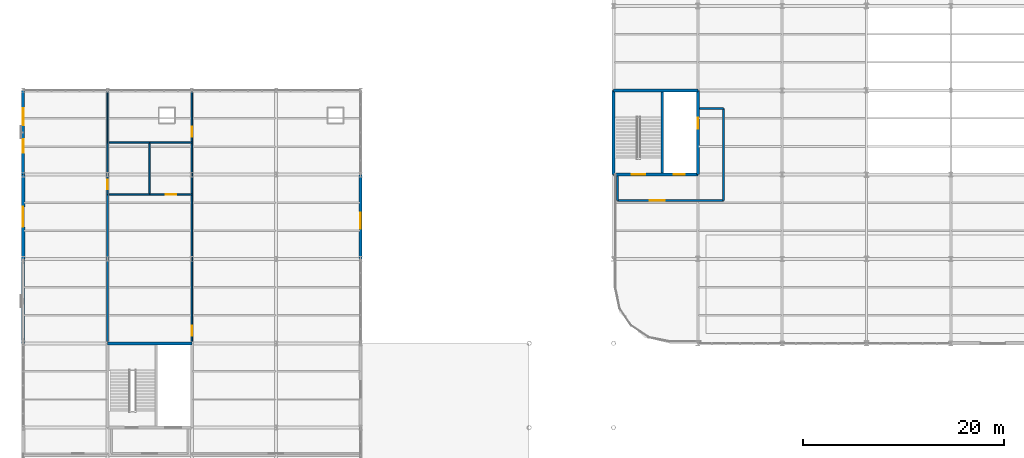
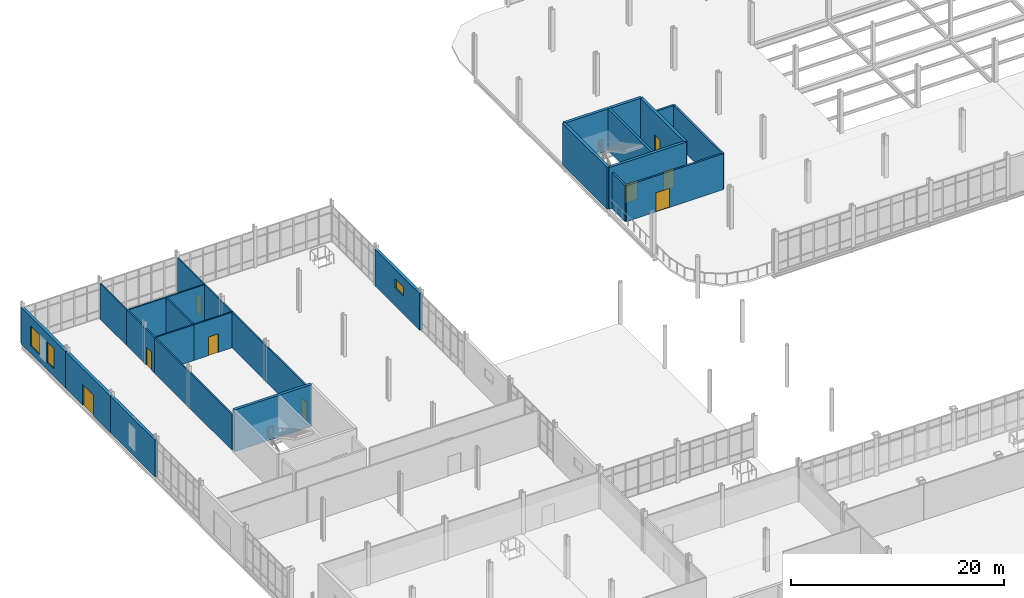
# One storey, part 127 of 145: 25 walls, 9 doors, 3 windows, 12 openings.
"""IFC4 building model written with IfcOpenShell, lengths in metres."""

from ifc_helpers import new_model, si_unit, direction, frame, frame_2d, origin, place, context, subcontext, project, spatial, rectangle, extrude, material, layer, layer_set, type_object, element, fill, save


model = new_model("IFC4")

# Units and contexts
model_context = context("Model", 3, precision=1e-05, world=origin(), true_north=direction((0.0, 1.0)))
body_context = subcontext(model_context, "Body", "Model", "MODEL_VIEW")
ifc_project = project(units=[si_unit("LENGTHUNIT", "METRE"), si_unit("AREAUNIT", "SQUARE_METRE"), si_unit("VOLUMEUNIT", "CUBIC_METRE"), si_unit("PLANEANGLEUNIT", "RADIAN"), si_unit("MASSUNIT", "GRAM", prefix="KILO")], contexts=[model_context])

# Site, building, storey
site_placement = place(None, origin())
site = spatial("IfcSite", under=ifc_project, at=site_placement, CompositionType="ELEMENT")
building_placement = place(site_placement, origin())
building = spatial("IfcBuilding", under=site, at=building_placement, Name="Qalvenar Corner Mobility Hub", CompositionType="ELEMENT")
storey_placement = place(building_placement, origin())
storey = spatial("IfcBuildingStorey", under=building, at=storey_placement, Name="L00", CompositionType="ELEMENT", Elevation=0.0)

# Wall
ifc_material_1 = material(Name="Concrete C40/50", Category="concrete")
ifc_layer_1 = layer(ifc_material_1, 0.25)
ifc_layer_set_1 = layer_set([ifc_layer_1], Name="Concrete C40/50")
wall_type_1 = type_object("IfcWallType", Name="WL-CORE250", PredefinedType="SHEAR", material=ifc_layer_set_1)
wall_1_placement = place(storey_placement, frame((63.64990234375, 84.14990234375, 0.0), z_axis=(0.0, 0.0, 1.0), x_axis=(0.0, 1.0, 0.0)))
element("IfcWall", 1, at=wall_1_placement, inside=storey, type_object=wall_type_1, Name="Core Divider Wall C3-L00", PredefinedType="SHEAR", context=body_context, shape_type="SweptSolid", body=[
    extrude(rectangle(XDim=8.10009765625, YDim=0.25, at=frame_2d((4.050048828125, 0.0))), origin(), (0.0, 0.0, 1.0), 4.800048828125),
])

# Wall, openings, doors
ifc_layer_2 = layer(ifc_material_1, 0.300048828125)
ifc_layer_set_2 = layer_set([ifc_layer_2], Name="Concrete C40/50")
wall_type_2 = type_object("IfcWallType", Name="WL-CORE300", PredefinedType="SHEAR", material=ifc_layer_set_2)
wall_2_placement = place(storey_placement, frame((58.800048828125, 84.0, 0.0), z_axis=(0.0, 0.0, 1.0), x_axis=(1.0, 0.0, 0.0)))
wall_2 = element("IfcWall", 2, at=wall_2_placement, inside=storey, type_object=wall_type_2, Name="Core Shear Wall C3-L00-S", PredefinedType="SHEAR", context=body_context, shape_type="SweptSolid", body=[
    extrude(rectangle(XDim=8.39990234375, YDim=0.300048828125, at=frame_2d((4.199951171875, 0.0))), origin(), (0.0, 0.0, 1.0), 4.800048828125),
])
opening_1_placement = place(wall_2_placement, frame((1.800048828125, 0.0, 0.0)))
opening_1 = element("IfcOpeningElement", 3, at=opening_1_placement, cuts=wall_2, Name="Opening DR-074", PredefinedType="OPENING", context=body_context, shape_type="SweptSolid", body=[
    extrude(rectangle(XDim=1.35009765625, YDim=2.199951171875, at=frame_2d((0.675048828125, 1.10009765625))), frame((0.0, 0.16015625, 0.0), z_axis=(0.0, -1.0, 0.0), x_axis=(1.0, 0.0, 0.0)), (0.0, 0.0, 1.0), 0.320068359375),
])
opening_2_placement = place(wall_2_placement, frame((6.0, 0.0, 0.0)))
opening_2 = element("IfcOpeningElement", 4, at=opening_2_placement, cuts=wall_2, Name="Opening DR-075", PredefinedType="OPENING", context=body_context, shape_type="SweptSolid", body=[
    extrude(rectangle(XDim=1.10009765625, YDim=2.199951171875, at=frame_2d((0.550048828125, 1.10009765625))), frame((0.0, 0.16015625, 0.0), z_axis=(0.0, -1.0, 0.0), x_axis=(1.0, 0.0, 0.0)), (0.0, 0.0, 1.0), 0.320068359375),
])
ifc_material_2 = material(Name="Stainless Steel Lift Landing Door", Category="steel")
door_type_1 = type_object("IfcDoorType", Name="DR-LIFT-110", OperationType="SLIDING_TO_LEFT", PredefinedType="DOOR", material=ifc_material_2)
door_1_placement = place(opening_2_placement, origin())
door_1 = element("IfcDoor", 5, at=door_1_placement, inside=storey, type_object=door_type_1, Name="DR-075 Lift Landing Door LP2-L00", OperationType="SLIDING_TO_LEFT", OverallHeight=2.199951171875, OverallWidth=1.10009765625, PredefinedType="DOOR", context=body_context, shape_type="SweptSolid", body=[
    extrude(rectangle(XDim=1.10009765625, YDim=2.199951171875, at=frame_2d((0.550048828125, 1.10009765625))), frame((0.0, 0.02490234375, 0.0), z_axis=(0.0, -1.0, 0.0), x_axis=(1.0, 0.0, 0.0)), (0.0, 0.0, 1.0), 0.050048828125),
])
fill(opening_2, door_1)
ifc_material_3 = material(Name="Fire-Rated Steel Stair Door FD90", Category="steel")
door_type_2 = type_object("IfcDoorType", Name="DR-STAIR-135", OperationType="NOTDEFINED", PredefinedType="DOOR", material=ifc_material_3)
door_2_placement = place(opening_1_placement, origin())
door_2 = element("IfcDoor", 6, at=door_2_placement, inside=storey, type_object=door_type_2, Name="DR-074 Stair Fire Door ST3-L00", OperationType="SINGLE_SWING_RIGHT", OverallHeight=2.199951171875, OverallWidth=1.35009765625, PredefinedType="DOOR", context=body_context, shape_type="SweptSolid", body=[
    extrude(rectangle(XDim=1.35009765625, YDim=2.199951171875, at=frame_2d((0.675048828125, 1.10009765625))), frame((0.0, 0.02490234375, 0.0), z_axis=(0.0, -1.0, 0.0), x_axis=(1.0, 0.0, 0.0)), (0.0, 0.0, 1.0), 0.050048828125),
])
fill(opening_1, door_2)

# Wall, opening, door
wall_3_placement = place(storey_placement, frame((67.199951171875, 84.0, 0.0), z_axis=(0.0, 0.0, 1.0), x_axis=(0.0, 1.0, 0.0)))
wall_3 = element("IfcWall", 7, at=wall_3_placement, inside=storey, type_object=wall_type_2, Name="Core Shear Wall C3-L00-E", PredefinedType="SHEAR", context=body_context, shape_type="SweptSolid", body=[
    extrude(rectangle(XDim=8.39990234375, YDim=0.300048828125, at=frame_2d((4.199951171875, 0.0))), origin(), (0.0, 0.0, 1.0), 4.800048828125),
])
opening_3_placement = place(wall_3_placement, frame((4.550048828125, 0.0, 0.0)))
opening_3 = element("IfcOpeningElement", 8, at=opening_3_placement, cuts=wall_3, Name="Opening DR-076", PredefinedType="OPENING", context=body_context, shape_type="SweptSolid", body=[
    extrude(rectangle(XDim=1.10009765625, YDim=2.199951171875, at=frame_2d((0.550048828125, 1.10009765625))), frame((0.0, 0.16015625, 0.0), z_axis=(0.0, -1.0, 0.0), x_axis=(1.0, 0.0, 0.0)), (0.0, 0.0, 1.0), 0.320068359375),
])
door_3_placement = place(opening_3_placement, origin())
door_3 = element("IfcDoor", 9, at=door_3_placement, inside=storey, type_object=door_type_1, Name="DR-076 Lift Landing Door LP3-L00", OperationType="SLIDING_TO_RIGHT", OverallHeight=2.199951171875, OverallWidth=1.10009765625, PredefinedType="DOOR", context=body_context, shape_type="SweptSolid", body=[
    extrude(rectangle(XDim=1.10009765625, YDim=2.199951171875, at=frame_2d((0.550048828125, 1.10009765625))), frame((0.0, 0.02490234375, 0.0), z_axis=(0.0, -1.0, 0.0), x_axis=(1.0, 0.0, 0.0)), (0.0, 0.0, 1.0), 0.050048828125),
])
fill(opening_3, door_3)

# Walls
for number, where, z_axis, x_axis, name in (
    (10, (67.199951171875, 92.39990234375, 0.0), (0.0, 0.0, 1.0), (-1.0, 0.0, 0.0), "Core Shear Wall C3-L00-N"),
    (11, (58.800048828125, 92.39990234375, 0.0), (0.0, 0.0, 1.0), (0.0, -1.0, 0.0), "Core Shear Wall C3-L00-W"),
):
    element("IfcWall", number, at=place(storey_placement, frame(where, z_axis=z_axis, x_axis=x_axis)), inside=storey, type_object=wall_type_2, Name=name, PredefinedType="SHEAR", context=body_context, shape_type="SweptSolid", body=[
        extrude(rectangle(XDim=8.39990234375, YDim=0.300048828125, at=frame_2d((4.199951171875, 0.0))), origin(), (0.0, 0.0, 1.0), 4.800048828125),
    ])
wall_4_placement = place(storey_placement, frame((16.800048828125, 67.199951171875, 0.0), z_axis=(0.0, 0.0, 1.0), x_axis=(-1.0, 0.0, 0.0)))
element("IfcWall", 12, at=wall_4_placement, inside=storey, type_object=wall_type_2, Name="Core Shear Wall C5-L00-N", PredefinedType="SHEAR", context=body_context, shape_type="SweptSolid", body=[
    extrude(rectangle(XDim=8.400146484375, YDim=0.300048828125, at=frame_2d((4.2001953125, 0.0))), origin(), (0.0, 0.0, 1.0), 4.800048828125),
])
ifc_material_4 = material(Name="Lahori Fired Clay Brick Masonry", Category="masonry")
ifc_layer_3 = layer(ifc_material_4, 0.300048828125)
ifc_layer_set_3 = layer_set([ifc_layer_3], Name="Lahori Fired Clay Brick Masonry")
wall_type_3 = type_object("IfcWallType", Name="WL-EXT-BRK300", PredefinedType="STANDARD", material=ifc_layer_set_3)
wall_5_placement = place(storey_placement, frame((0.0, 75.60009765625, 0.0), z_axis=(0.0, 0.0, 1.0), x_axis=(0.0, -1.0, 0.0)))
element("IfcWall", 13, at=wall_5_placement, inside=storey, type_object=wall_type_3, Name="Exterior Facade Wall EW-V5-L00-W3", PredefinedType="STANDARD", context=body_context, shape_type="SweptSolid", body=[
    extrude(rectangle(XDim=8.400146484375, YDim=0.300048828125, at=frame_2d((4.2001953125, 0.0))), origin(), (0.0, 0.0, 1.0), 4.219970703125),
])

# Wall, openings, windows
wall_6_placement = place(storey_placement, frame((0.0, 92.39990234375, 0.0), z_axis=(0.0, 0.0, 1.0), x_axis=(0.0, -1.0, 0.0)))
wall_6 = element("IfcWall", 14, at=wall_6_placement, inside=storey, type_object=wall_type_3, Name="Exterior Facade Wall EW-V5-L00-W5", PredefinedType="STANDARD", context=body_context, shape_type="SweptSolid", body=[
    extrude(rectangle(XDim=8.39990234375, YDim=0.300048828125, at=frame_2d((4.199951171875, 0.0))), origin(), (0.0, 0.0, 1.0), 4.219970703125),
])
opening_4_placement = place(wall_6_placement, frame((1.800048828125, 0.0, 0.89990234375)))
opening_4 = element("IfcOpeningElement", 15, at=opening_4_placement, cuts=wall_6, Name="Opening W-13", PredefinedType="OPENING", context=body_context, shape_type="SweptSolid", body=[
    extrude(rectangle(XDim=1.699951171875, YDim=2.300048828125, at=frame_2d((0.85009765625, 1.14990234375))), frame((0.0, 0.16015625, 0.0), z_axis=(0.0, -1.0, 0.0), x_axis=(1.0, 0.0, 0.0)), (0.0, 0.0, 1.0), 0.320068359375),
])
opening_5_placement = place(wall_6_placement, frame((4.89990234375, 0.0, 0.89990234375)))
opening_5 = element("IfcOpeningElement", 16, at=opening_5_placement, cuts=wall_6, Name="Opening W-14", PredefinedType="OPENING", context=body_context, shape_type="SweptSolid", body=[
    extrude(rectangle(XDim=1.300048828125, YDim=2.300048828125, at=frame_2d((0.64990234375, 1.14990234375))), frame((0.0, 0.16015625, 0.0), z_axis=(0.0, -1.0, 0.0), x_axis=(1.0, 0.0, 0.0)), (0.0, 0.0, 1.0), 0.320068359375),
])
ifc_material_5 = material(Name="Solar-Control Double-Glazed Bronze Window", Category="glass")
window_type_1 = type_object("IfcWindowType", Name="WN-CYC-130X230", PartitioningType="SINGLE_PANEL", PredefinedType="WINDOW", material=ifc_material_5)
window_1_placement = place(opening_5_placement, origin())
window_1 = element("IfcWindow", 17, at=window_1_placement, inside=storey, type_object=window_type_1, Name="Facade Window EW-V5-L00-W5-W2", OverallHeight=2.300048828125, OverallWidth=1.300048828125, PartitioningType="SINGLE_PANEL", PredefinedType="WINDOW", context=body_context, shape_type="SweptSolid", body=[
    extrude(rectangle(XDim=1.300048828125, YDim=2.300048828125, at=frame_2d((0.64990234375, 1.14990234375))), frame((0.0, 0.030029296875, 0.0), z_axis=(0.0, -1.0, 0.0), x_axis=(1.0, 0.0, 0.0)), (0.0, 0.0, 1.0), 0.06005859375),
])
fill(opening_5, window_1)
window_type_2 = type_object("IfcWindowType", Name="WN-CYC-170X230", PartitioningType="DOUBLE_PANEL_VERTICAL", PredefinedType="WINDOW", material=ifc_material_5)
window_2_placement = place(opening_4_placement, origin())
window_2 = element("IfcWindow", 18, at=window_2_placement, inside=storey, type_object=window_type_2, Name="Facade Window EW-V5-L00-W5-W1", OverallHeight=2.300048828125, OverallWidth=1.699951171875, PartitioningType="SINGLE_PANEL", PredefinedType="WINDOW", context=body_context, shape_type="SweptSolid", body=[
    extrude(rectangle(XDim=1.699951171875, YDim=2.300048828125, at=frame_2d((0.85009765625, 1.14990234375))), frame((0.0, 0.030029296875, 0.0), z_axis=(0.0, -1.0, 0.0), x_axis=(1.0, 0.0, 0.0)), (0.0, 0.0, 1.0), 0.06005859375),
])
fill(opening_4, window_2)

# Wall, opening, window
wall_7_placement = place(storey_placement, frame((33.60009765625, 75.60009765625, 0.0), z_axis=(0.0, 0.0, 1.0), x_axis=(0.0, 1.0, 0.0)))
wall_7 = element("IfcWall", 19, at=wall_7_placement, inside=storey, type_object=wall_type_3, Name="Exterior Facade Wall EW-V5-L00-E4", PredefinedType="STANDARD", context=body_context, shape_type="SweptSolid", body=[
    extrude(rectangle(XDim=8.39990234375, YDim=0.300048828125, at=frame_2d((4.199951171875, 0.0))), origin(), (0.0, 0.0, 1.0), 4.219970703125),
])
opening_6_placement = place(wall_7_placement, frame((3.0, 0.0, 2.10009765625)))
opening_6 = element("IfcOpeningElement", 20, at=opening_6_placement, cuts=wall_7, Name="Opening W-22", PredefinedType="OPENING", context=body_context, shape_type="SweptSolid", body=[
    extrude(rectangle(XDim=1.60009765625, YDim=1.0, at=frame_2d((0.800048828125, 0.5))), frame((0.0, 0.16015625, 0.0), z_axis=(0.0, -1.0, 0.0), x_axis=(1.0, 0.0, 0.0)), (0.0, 0.0, 1.0), 0.320068359375),
])
window_type_3 = type_object("IfcWindowType", Name="WN-CLR-160X100", PartitioningType="DOUBLE_PANEL_HORIZONTAL", PredefinedType="WINDOW", material=ifc_material_5)
window_3_placement = place(opening_6_placement, origin())
window_3 = element("IfcWindow", 21, at=window_3_placement, inside=storey, type_object=window_type_3, Name="Facade Window EW-V5-L00-E4-W1", OverallHeight=1.0, OverallWidth=1.60009765625, PartitioningType="SINGLE_PANEL", PredefinedType="WINDOW", context=body_context, shape_type="SweptSolid", body=[
    extrude(rectangle(XDim=1.60009765625, YDim=1.0, at=frame_2d((0.800048828125, 0.5))), frame((0.0, 0.030029296875, 0.0), z_axis=(0.0, -1.0, 0.0), x_axis=(1.0, 0.0, 0.0)), (0.0, 0.0, 1.0), 0.06005859375),
])
fill(opening_6, window_3)

# Wall, opening, door
ifc_material_6 = material(Name="Red Sandstone Ashlar Masonry", Category="masonry")
ifc_layer_4 = layer(ifc_material_6, 0.320068359375)
ifc_layer_set_4 = layer_set([ifc_layer_4], Name="Red Sandstone Ashlar Masonry")
wall_type_4 = type_object("IfcWallType", Name="WL-EXT-SAND320", PredefinedType="STANDARD", material=ifc_layer_set_4)
wall_8_placement = place(storey_placement, frame((0.0, 84.0, 0.0), z_axis=(0.0, 0.0, 1.0), x_axis=(0.0, -1.0, 0.0)))
wall_8 = element("IfcWall", 22, at=wall_8_placement, inside=storey, type_object=wall_type_4, Name="Exterior Facade Wall EW-V5-L00-W4", PredefinedType="STANDARD", context=body_context, shape_type="SweptSolid", body=[
    extrude(rectangle(XDim=8.39990234375, YDim=0.320068359375, at=frame_2d((4.199951171875, 0.0))), origin(), (0.0, 0.0, 1.0), 4.219970703125),
])
opening_7_placement = place(wall_8_placement, frame((3.199951171875, 0.0, 0.0)))
opening_7 = element("IfcOpeningElement", 23, at=opening_7_placement, cuts=wall_8, Name="Opening DR-060", PredefinedType="OPENING", context=body_context, shape_type="SweptSolid", body=[
    extrude(rectangle(XDim=2.0, YDim=2.39990234375, at=frame_2d((1.0, 1.199951171875))), frame((0.0, 0.169921875, 0.0), z_axis=(0.0, -1.0, 0.0), x_axis=(1.0, 0.0, 0.0)), (0.0, 0.0, 1.0), 0.340087890625),
])
ifc_material_7 = material(Name="Bronze-Framed Glazed Exit Door", Category="aluminium")
door_type_3 = type_object("IfcDoorType", Name="DR-EXT-DBL200", OperationType="DOUBLE_DOOR_SINGLE_SWING", PredefinedType="DOOR", material=ifc_material_7)
door_4_placement = place(opening_7_placement, origin())
door_4 = element("IfcDoor", 24, at=door_4_placement, inside=storey, type_object=door_type_3, Name="DR-060 Bicycle Hall Pedestrian Exit Door E10", OperationType="DOUBLE_DOOR_SINGLE_SWING", OverallHeight=2.39990234375, OverallWidth=2.0, PredefinedType="DOOR", context=body_context, shape_type="SweptSolid", body=[
    extrude(rectangle(XDim=2.0, YDim=2.39990234375, at=frame_2d((1.0, 1.199951171875))), frame((0.0, 0.02490234375, 0.0), z_axis=(0.0, -1.0, 0.0), x_axis=(1.0, 0.0, 0.0)), (0.0, 0.0, 1.0), 0.050048828125),
])
fill(opening_7, door_4)

# Wall
ifc_material_8 = material(Name="Acoustic Gypsum Stud Partition", Category="masonry")
ifc_layer_5 = layer(ifc_material_8, 0.139892578125)
ifc_layer_set_5 = layer_set([ifc_layer_5], Name="Acoustic Gypsum Stud Partition")
wall_type_5 = type_object("IfcWallType", Name="WL-INT140", PredefinedType="PARTITIONING", material=ifc_layer_set_5)
wall_9_placement = place(storey_placement, frame((8.39990234375, 87.199951171875, 0.0), z_axis=(0.0, 0.0, 1.0), x_axis=(0.0, 1.0, 0.0)))
element("IfcWall", 25, at=wall_9_placement, inside=storey, type_object=wall_type_5, Name="Interior Partition PRT-L00-037", PredefinedType="PARTITIONING", context=body_context, shape_type="SweptSolid", body=[
    extrude(rectangle(XDim=5.050048828125, YDim=0.139892578125, at=frame_2d((2.52490234375, 0.0))), origin(), (0.0, 0.0, 1.0), 4.10009765625),
])

# Wall, opening, door
wall_10_placement = place(storey_placement, frame((16.800048828125, 87.199951171875, 0.0), z_axis=(0.0, 0.0, 1.0), x_axis=(0.0, 1.0, 0.0)))
wall_10 = element("IfcWall", 26, at=wall_10_placement, inside=storey, type_object=wall_type_5, Name="Interior Partition PRT-L00-041", PredefinedType="PARTITIONING", context=body_context, shape_type="SweptSolid", body=[
    extrude(rectangle(XDim=5.050048828125, YDim=0.139892578125, at=frame_2d((2.52490234375, 0.0))), origin(), (0.0, 0.0, 1.0), 4.10009765625),
])
opening_8_placement = place(wall_10_placement, frame((0.550048828125, 0.0, 0.0)))
opening_8 = element("IfcOpeningElement", 27, at=opening_8_placement, cuts=wall_10, Name="Opening DR-106", PredefinedType="OPENING", context=body_context, shape_type="SweptSolid", body=[
    extrude(rectangle(XDim=1.0, YDim=2.14990234375, at=frame_2d((0.5, 1.074951171875))), frame((0.0, 0.080078125, 0.0), z_axis=(0.0, -1.0, 0.0), x_axis=(1.0, 0.0, 0.0)), (0.0, 0.0, 1.0), 0.159912109375),
])
ifc_material_9 = material(Name="Hardwood Teak Office Door FD30", Category="wood")
door_type_4 = type_object("IfcDoorType", Name="DR-INT-OFF100", OperationType="NOTDEFINED", PredefinedType="DOOR", material=ifc_material_9)
door_5_placement = place(opening_8_placement, origin())
door_5 = element("IfcDoor", 28, at=door_5_placement, inside=storey, type_object=door_type_4, Name="DR-106 Cyclist Drying and Towel Room Door", OperationType="SINGLE_SWING_RIGHT", OverallHeight=2.14990234375, OverallWidth=1.0, PredefinedType="DOOR", context=body_context, shape_type="SweptSolid", body=[
    extrude(rectangle(XDim=1.0, YDim=2.14990234375, at=frame_2d((0.5, 1.074951171875))), frame((0.0, 0.02490234375, 0.0), z_axis=(0.0, -1.0, 0.0), x_axis=(1.0, 0.0, 0.0)), (0.0, 0.0, 1.0), 0.050048828125),
])
fill(opening_8, door_5)

# Wall
ifc_material_10 = material(Name="Plastered Clay Brick Partition", Category="masonry")
ifc_layer_6 = layer(ifc_material_10, 0.159912109375)
ifc_layer_set_6 = layer_set([ifc_layer_6], Name="Plastered Clay Brick Partition")
wall_type_6 = type_object("IfcWallType", Name="WL-INT160", PredefinedType="PARTITIONING", material=ifc_layer_set_6)
wall_11_placement = place(storey_placement, frame((8.39990234375, 67.39990234375, 0.0), z_axis=(0.0, 0.0, 1.0), x_axis=(0.0, 1.0, 0.0)))
element("IfcWall", 29, at=wall_11_placement, inside=storey, type_object=wall_type_6, Name="Interior Partition PRT-L00-035", PredefinedType="PARTITIONING", context=body_context, shape_type="SweptSolid", body=[
    extrude(rectangle(XDim=14.60009765625, YDim=0.159912109375, at=frame_2d((7.300048828125, 0.0))), origin(), (0.0, 0.0, 1.0), 4.10009765625),
])

# Wall, opening, door
wall_12_placement = place(storey_placement, frame((16.800048828125, 67.39990234375, 0.0), z_axis=(0.0, 0.0, 1.0), x_axis=(0.0, 1.0, 0.0)))
wall_12 = element("IfcWall", 30, at=wall_12_placement, inside=storey, type_object=wall_type_6, Name="Interior Partition PRT-L00-039", PredefinedType="PARTITIONING", context=body_context, shape_type="SweptSolid", body=[
    extrude(rectangle(XDim=14.60009765625, YDim=0.159912109375, at=frame_2d((7.300048828125, 0.0))), origin(), (0.0, 0.0, 1.0), 4.10009765625),
])
opening_9_placement = place(wall_12_placement, frame((0.550048828125, 0.0, 0.0)))
opening_9 = element("IfcOpeningElement", 31, at=opening_9_placement, cuts=wall_12, Name="Opening DR-105", PredefinedType="OPENING", context=body_context, shape_type="SweptSolid", body=[
    extrude(rectangle(XDim=1.0, YDim=2.14990234375, at=frame_2d((0.5, 1.074951171875))), frame((0.0, 0.08984375, 0.0), z_axis=(0.0, -1.0, 0.0), x_axis=(1.0, 0.0, 0.0)), (0.0, 0.0, 1.0), 0.179931640625),
])
door_6_placement = place(opening_9_placement, origin())
door_6 = element("IfcDoor", 32, at=door_6_placement, inside=storey, type_object=door_type_4, Name="DR-105 Cyclist Locker and Kit Room Door", OperationType="SINGLE_SWING_LEFT", OverallHeight=2.14990234375, OverallWidth=1.0, PredefinedType="DOOR", context=body_context, shape_type="SweptSolid", body=[
    extrude(rectangle(XDim=1.0, YDim=2.14990234375, at=frame_2d((0.5, 1.074951171875))), frame((0.0, 0.02490234375, 0.0), z_axis=(0.0, -1.0, 0.0), x_axis=(1.0, 0.0, 0.0)), (0.0, 0.0, 1.0), 0.050048828125),
])
fill(opening_9, door_6)

# Wall
ifc_material_11 = material(Name="Concrete Blockwork Masonry", Category="masonry")
ifc_layer_7 = layer(ifc_material_11, 0.199951171875)
ifc_layer_set_7 = layer_set([ifc_layer_7], Name="Concrete Blockwork Masonry")
wall_type_7 = type_object("IfcWallType", Name="WL-LOBBY200", PredefinedType="PARTITIONING", material=ifc_layer_set_7)
wall_13_placement = place(storey_placement, frame((59.199951171875, 81.39990234375, 0.0), z_axis=(0.0, 0.0, 1.0), x_axis=(0.0, 1.0, 0.0)))
element("IfcWall", 33, at=wall_13_placement, inside=storey, type_object=wall_type_7, Name="Interior Partition WL-LOB-C3-L00-W", PredefinedType="PARTITIONING", context=body_context, shape_type="SweptSolid", body=[
    extrude(rectangle(XDim=2.4501953125, YDim=0.199951171875, at=frame_2d((1.22509765625, 0.0))), origin(), (0.0, 0.0, 1.0), 4.1201171875),
])

# Wall, opening, door
wall_14_placement = place(storey_placement, frame((59.199951171875, 81.39990234375, 0.0), z_axis=(0.0, 0.0, 1.0), x_axis=(1.0, 0.0, 0.0)))
wall_14 = element("IfcWall", 34, at=wall_14_placement, inside=storey, type_object=wall_type_7, Name="Interior Partition WL-LOB-C3-L00-S", PredefinedType="PARTITIONING", context=body_context, shape_type="SweptSolid", body=[
    extrude(rectangle(XDim=10.550048828125, YDim=0.199951171875, at=frame_2d((5.27490234375, 0.0))), origin(), (0.0, 0.0, 1.0), 4.1201171875),
])
opening_10_placement = place(wall_14_placement, frame((3.199951171875, 0.0, 0.0)))
opening_10 = element("IfcOpeningElement", 35, at=opening_10_placement, cuts=wall_14, Name="Opening DR-077", PredefinedType="OPENING", context=body_context, shape_type="SweptSolid", body=[
    extrude(rectangle(XDim=1.5, YDim=2.199951171875, at=frame_2d((0.75, 1.10009765625))), frame((0.0, 0.10986328125, 0.0), z_axis=(0.0, -1.0, 0.0), x_axis=(1.0, 0.0, 0.0)), (0.0, 0.0, 1.0), 0.219970703125),
])
ifc_material_12 = material(Name="Firefighting Lobby Smoke-Control Door FD60", Category="steel")
door_type_5 = type_object("IfcDoorType", Name="DR-FFLOB-150", OperationType="DOUBLE_DOOR_SINGLE_SWING", PredefinedType="DOOR", material=ifc_material_12)
door_7_placement = place(opening_10_placement, origin())
door_7 = element("IfcDoor", 36, at=door_7_placement, inside=storey, type_object=door_type_5, Name="DR-077 Lift Lobby Smoke Door C3-L00", OperationType="DOUBLE_DOOR_SINGLE_SWING", OverallHeight=2.199951171875, OverallWidth=1.5, PredefinedType="DOOR", context=body_context, shape_type="SweptSolid", body=[
    extrude(rectangle(XDim=1.5, YDim=2.199951171875, at=frame_2d((0.75, 1.10009765625))), frame((0.0, 0.02490234375, 0.0), z_axis=(0.0, -1.0, 0.0), x_axis=(1.0, 0.0, 0.0)), (0.0, 0.0, 1.0), 0.050048828125),
])
fill(opening_10, door_7)

# Walls
wall_15_placement = place(storey_placement, frame((69.75, 81.39990234375, 0.0), z_axis=(0.0, 0.0, 1.0), x_axis=(0.0, 1.0, 0.0)))
element("IfcWall", 37, at=wall_15_placement, inside=storey, type_object=wall_type_7, Name="Interior Partition WL-LOB-C3-L00-E", PredefinedType="PARTITIONING", context=body_context, shape_type="SweptSolid", body=[
    extrude(rectangle(XDim=9.2001953125, YDim=0.199951171875, at=frame_2d((4.60009765625, 0.0))), origin(), (0.0, 0.0, 1.0), 4.1201171875),
])
wall_16_placement = place(storey_placement, frame((67.360107421875, 90.60009765625, 0.0), z_axis=(0.0, 0.0, 1.0), x_axis=(1.0, 0.0, 0.0)))
element("IfcWall", 38, at=wall_16_placement, inside=storey, type_object=wall_type_7, Name="Interior Partition WL-LOB-C3-L00-N", PredefinedType="PARTITIONING", context=body_context, shape_type="SweptSolid", body=[
    extrude(rectangle(XDim=2.389892578125, YDim=0.199951171875, at=frame_2d((1.19482421875, 0.0))), origin(), (0.0, 0.0, 1.0), 4.1201171875),
])
ifc_material_13 = material(Name="Ceramic-Tiled Moisture-Resistant Partition", Category="masonry")
ifc_layer_8 = layer(ifc_material_13, 0.14990234375)
ifc_layer_set_8 = layer_set([ifc_layer_8], Name="Ceramic-Tiled Moisture-Resistant Partition")
wall_type_8 = type_object("IfcWallType", Name="WL-WET150", PredefinedType="PARTITIONING", material=ifc_layer_set_8)
wall_17_placement = place(storey_placement, frame((8.550048828125, 82.0, 0.0), z_axis=(0.0, 0.0, 1.0), x_axis=(1.0, 0.0, 0.0)))
element("IfcWall", 39, at=wall_17_placement, inside=storey, type_object=wall_type_8, Name="Interior Partition PRT-L00-030", PredefinedType="PARTITIONING", context=body_context, shape_type="SweptSolid", body=[
    extrude(rectangle(XDim=4.050048828125, YDim=0.14990234375, at=frame_2d((2.02490234375, 0.0))), origin(), (0.0, 0.0, 1.0), 4.10009765625),
])

# Wall, opening, door
wall_18_placement = place(storey_placement, frame((12.60009765625, 82.0, 0.0), z_axis=(0.0, 0.0, 1.0), x_axis=(1.0, 0.0, 0.0)))
wall_18 = element("IfcWall", 40, at=wall_18_placement, inside=storey, type_object=wall_type_8, Name="Interior Partition PRT-L00-031", PredefinedType="PARTITIONING", context=body_context, shape_type="SweptSolid", body=[
    extrude(rectangle(XDim=4.199951171875, YDim=0.14990234375, at=frame_2d((2.10009765625, 0.0))), origin(), (0.0, 0.0, 1.0), 4.10009765625),
])
opening_11_placement = place(wall_18_placement, frame((1.574951171875, 0.0, 0.0)))
opening_11 = element("IfcOpeningElement", 41, at=opening_11_placement, cuts=wall_18, Name="Opening DR-103", PredefinedType="OPENING", context=body_context, shape_type="SweptSolid", body=[
    extrude(rectangle(XDim=1.050048828125, YDim=2.14990234375, at=frame_2d((0.52490234375, 1.074951171875))), frame((0.0, 0.0849609375, 0.0), z_axis=(0.0, -1.0, 0.0), x_axis=(1.0, 0.0, 0.0)), (0.0, 0.0, 1.0), 0.169921875),
])
ifc_material_14 = material(Name="Accessible Wheelchair WC Door", Category="wood")
door_type_6 = type_object("IfcDoorType", Name="DR-INT-AWC105", OperationType="NOTDEFINED", PredefinedType="DOOR", material=ifc_material_14)
door_8_placement = place(opening_11_placement, origin())
door_8 = element("IfcDoor", 42, at=door_8_placement, inside=storey, type_object=door_type_6, Name="DR-103 Bicycle Hall Accessible WC Door", OperationType="SINGLE_SWING_LEFT", OverallHeight=2.14990234375, OverallWidth=1.050048828125, PredefinedType="DOOR", context=body_context, shape_type="SweptSolid", body=[
    extrude(rectangle(XDim=1.050048828125, YDim=2.14990234375, at=frame_2d((0.52490234375, 1.074951171875))), frame((0.0, 0.02490234375, 0.0), z_axis=(0.0, -1.0, 0.0), x_axis=(1.0, 0.0, 0.0)), (0.0, 0.0, 1.0), 0.050048828125),
])
fill(opening_11, door_8)

# Walls
wall_19_placement = place(storey_placement, frame((8.550048828125, 87.199951171875, 0.0), z_axis=(0.0, 0.0, 1.0), x_axis=(1.0, 0.0, 0.0)))
element("IfcWall", 43, at=wall_19_placement, inside=storey, type_object=wall_type_8, Name="Interior Partition PRT-L00-033", PredefinedType="PARTITIONING", context=body_context, shape_type="SweptSolid", body=[
    extrude(rectangle(XDim=4.050048828125, YDim=0.14990234375, at=frame_2d((2.02490234375, 0.0))), origin(), (0.0, 0.0, 1.0), 4.10009765625),
])
wall_20_placement = place(storey_placement, frame((12.60009765625, 87.199951171875, 0.0), z_axis=(0.0, 0.0, 1.0), x_axis=(1.0, 0.0, 0.0)))
element("IfcWall", 44, at=wall_20_placement, inside=storey, type_object=wall_type_8, Name="Interior Partition PRT-L00-034", PredefinedType="PARTITIONING", context=body_context, shape_type="SweptSolid", body=[
    extrude(rectangle(XDim=4.199951171875, YDim=0.14990234375, at=frame_2d((2.10009765625, 0.0))), origin(), (0.0, 0.0, 1.0), 4.10009765625),
])

# Wall, opening, door
wall_21_placement = place(storey_placement, frame((8.39990234375, 82.0, 0.0), z_axis=(0.0, 0.0, 1.0), x_axis=(0.0, 1.0, 0.0)))
wall_21 = element("IfcWall", 45, at=wall_21_placement, inside=storey, type_object=wall_type_8, Name="Interior Partition PRT-L00-036", PredefinedType="PARTITIONING", context=body_context, shape_type="SweptSolid", body=[
    extrude(rectangle(XDim=5.199951171875, YDim=0.14990234375, at=frame_2d((2.60009765625, 0.0))), origin(), (0.0, 0.0, 1.0), 4.10009765625),
])
opening_12_placement = place(wall_21_placement, frame((0.550048828125, 0.0, 0.0)))
opening_12 = element("IfcOpeningElement", 46, at=opening_12_placement, cuts=wall_21, Name="Opening DR-104", PredefinedType="OPENING", context=body_context, shape_type="SweptSolid", body=[
    extrude(rectangle(XDim=0.949951171875, YDim=2.10009765625, at=frame_2d((0.47509765625, 1.050048828125))), frame((0.0, 0.0849609375, 0.0), z_axis=(0.0, -1.0, 0.0), x_axis=(1.0, 0.0, 0.0)), (0.0, 0.0, 1.0), 0.169921875),
])
ifc_material_15 = material(Name="Moisture-Resistant Laminate WC Door", Category="wood")
door_type_7 = type_object("IfcDoorType", Name="DR-INT-WC095", OperationType="NOTDEFINED", PredefinedType="DOOR", material=ifc_material_15)
door_9_placement = place(opening_12_placement, origin())
door_9 = element("IfcDoor", 47, at=door_9_placement, inside=storey, type_object=door_type_7, Name="DR-104 Cyclist Shower Room Door", OperationType="SINGLE_SWING_RIGHT", OverallHeight=2.10009765625, OverallWidth=0.949951171875, PredefinedType="DOOR", context=body_context, shape_type="SweptSolid", body=[
    extrude(rectangle(XDim=0.949951171875, YDim=2.10009765625, at=frame_2d((0.47509765625, 1.050048828125))), frame((0.0, 0.02490234375, 0.0), z_axis=(0.0, -1.0, 0.0), x_axis=(1.0, 0.0, 0.0)), (0.0, 0.0, 1.0), 0.050048828125),
])
fill(opening_12, door_9)

# Walls
for number, where, z_axis, x_axis, name in (
    (48, (12.60009765625, 82.0, 0.0), (0.0, 0.0, 1.0), (0.0, 1.0, 0.0), "Interior Partition PRT-L00-038"),
    (49, (16.800048828125, 82.0, 0.0), (0.0, 0.0, 1.0), (0.0, 1.0, 0.0), "Interior Partition PRT-L00-040"),
):
    element("IfcWall", number, at=place(storey_placement, frame(where, z_axis=z_axis, x_axis=x_axis)), inside=storey, type_object=wall_type_8, Name=name, PredefinedType="PARTITIONING", context=body_context, shape_type="SweptSolid", body=[
        extrude(rectangle(XDim=5.199951171875, YDim=0.14990234375, at=frame_2d((2.60009765625, 0.0))), origin(), (0.0, 0.0, 1.0), 4.10009765625),
    ])

save(model, "model.ifc")
